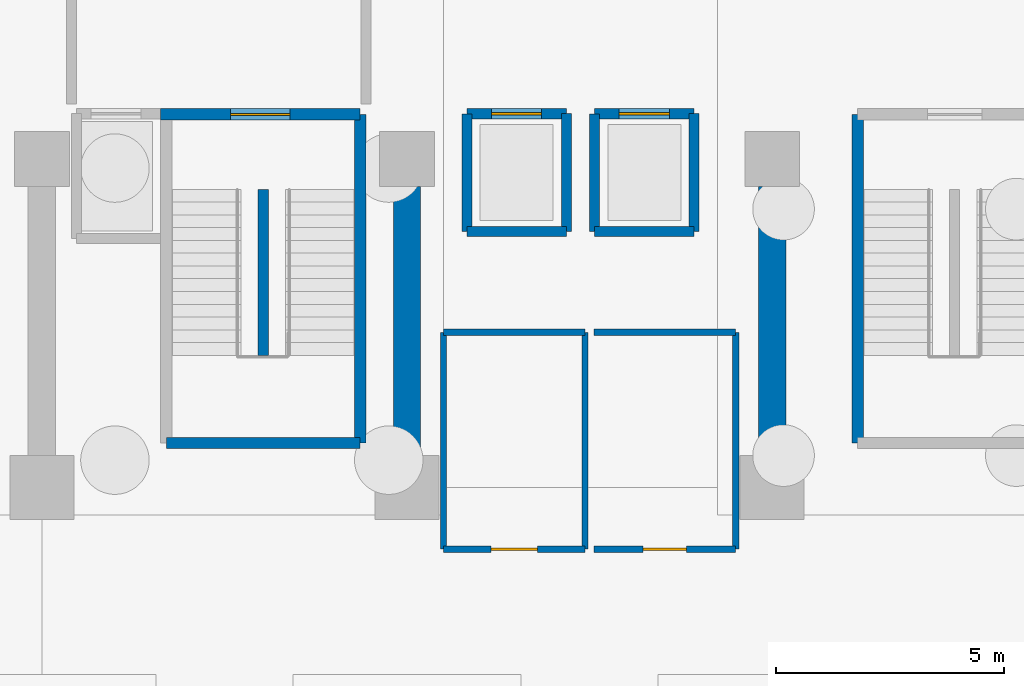
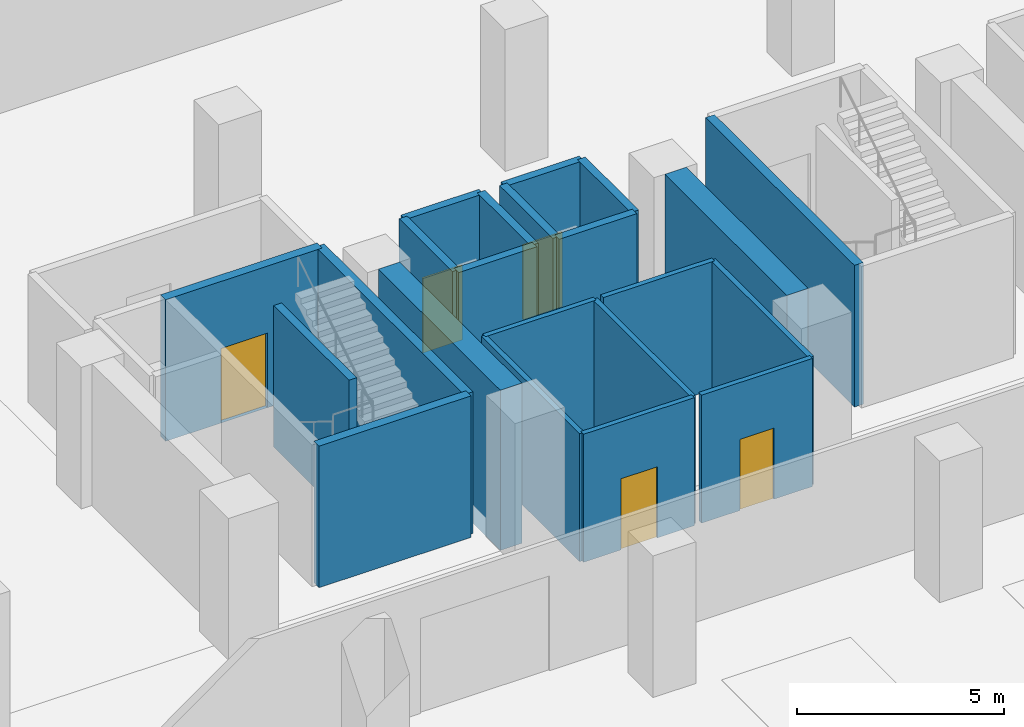
# One storey, part 9 of 26: 22 walls, 5 doors, 5 openings.
"""IFC4 building model written with IfcOpenShell, lengths in metres."""

from ifc_helpers import new_model, si_unit, direction, frame, frame_2d, origin, place, context, subcontext, project, spatial, rectangle, extrude, material, layer, layer_set, type_object, element, fill, save


model = new_model("IFC4")

# Units and contexts
model_context = context("Model", 3, precision=1e-05, world=origin(), true_north=direction((0.0, 1.0)))
body_context = subcontext(model_context, "Body", "Model", "MODEL_VIEW")
ifc_project = project(units=[si_unit("LENGTHUNIT", "METRE"), si_unit("AREAUNIT", "SQUARE_METRE"), si_unit("VOLUMEUNIT", "CUBIC_METRE"), si_unit("PLANEANGLEUNIT", "RADIAN"), si_unit("MASSUNIT", "GRAM", prefix="KILO")], contexts=[model_context])

# Site, building, storey
site_placement = place(None, origin())
site = spatial("IfcSite", under=ifc_project, at=site_placement, CompositionType="ELEMENT")
building_placement = place(site_placement, origin())
building = spatial("IfcBuilding", under=site, at=building_placement, Name="Akrevak Sports Hall", CompositionType="ELEMENT")
storey_placement = place(building_placement, frame((0.0, 0.0, -9.0)))
storey = spatial("IfcBuildingStorey", under=building, at=storey_placement, Name="B02", CompositionType="ELEMENT", Elevation=-9.0)

# Wall, opening, door
ifc_material_1 = material(Name="Moisture-Resistant Wet-Area Partition", Category="gypsum")
ifc_layer_1 = layer(ifc_material_1, 0.139892578125, Name="Moisture-Resistant Wet-Area Partition")
ifc_layer_set_1 = layer_set([ifc_layer_1], Name="Moisture-Resistant Wet-Area Partition")
wall_type_1 = type_object("IfcWallType", Name="ARC-WL-PRT-140", PredefinedType="PARTITIONING", material=ifc_layer_set_1)
wall_1_placement = place(storey_placement, frame((68.800048828125, 53.85009765625, 0.0), z_axis=(0.0, 0.0, 1.0), x_axis=(1.0, 0.0, 0.0)))
wall_1 = element("IfcWall", 1, at=wall_1_placement, inside=storey, type_object=wall_type_1, Name="Interior Partition Accessible WC B02 (S)", PredefinedType="PARTITIONING", context=body_context, shape_type="SweptSolid", body=[
    extrude(rectangle(XDim=3.099853515625, YDim=0.139892578125, at=frame_2d((1.5498046875, 0.0))), origin(), (0.0, 0.0, 1.0), 3.780029296875),
])
opening_1_placement = place(wall_1_placement, frame((1.0400390625, 0.0, 0.0)))
opening_1 = element("IfcOpeningElement", 2, at=opening_1_placement, cuts=wall_1, Name="Opening ID-09", PredefinedType="OPENING", context=body_context, shape_type="SweptSolid", body=[
    extrude(rectangle(XDim=1.02001953125, YDim=2.10009765625, at=frame_2d((0.510009765625, 1.050048828125))), frame((0.0, 0.08203125, 0.0), z_axis=(0.0, -1.0, 0.0), x_axis=(1.0, 0.0, 0.0)), (0.0, 0.0, 1.0), 0.163818359375),
])
ifc_material_2 = material(Name="High-Pressure Laminate & Aluminium", Category="aluminium")
door_type_1 = type_object("IfcDoorType", Name="ARC-DR-AWC-102x210", OperationType="NOTDEFINED", PredefinedType="DOOR", material=ifc_material_2)
door_1_placement = place(opening_1_placement, origin())
door_1 = element("IfcDoor", 3, at=door_1_placement, inside=storey, type_object=door_type_1, Name="Door to Accessible WC B02", OperationType="SINGLE_SWING_LEFT", OverallHeight=2.10009765625, OverallWidth=1.02001953125, PredefinedType="DOOR", context=body_context, shape_type="SweptSolid", body=[
    extrude(rectangle(XDim=1.02001953125, YDim=2.10009765625, at=frame_2d((0.510009765625, 1.050048828125))), frame((0.0, 0.02490234375, 0.0), z_axis=(0.0, -1.0, 0.0), x_axis=(1.0, 0.0, 0.0)), (0.0, 0.0, 1.0), 0.050048828125),
])
fill(opening_1, door_1)

# Walls
wall_2_placement = place(storey_placement, frame((68.800048828125, 58.60009765625, 0.0), z_axis=(0.0, 0.0, 1.0), x_axis=(1.0, 0.0, 0.0)))
element("IfcWall", 4, at=wall_2_placement, inside=storey, type_object=wall_type_1, Name="Interior Partition Accessible WC B02 (N)", PredefinedType="PARTITIONING", context=body_context, shape_type="SweptSolid", body=[
    extrude(rectangle(XDim=3.099853515625, YDim=0.139892578125, at=frame_2d((1.5498046875, 0.0))), origin(), (0.0, 0.0, 1.0), 3.780029296875),
])
for number, where, z_axis, x_axis, name in (
    (5, (68.800048828125, 53.85009765625, 0.0), (0.0, 0.0, 1.0), (0.0, 1.0, 0.0), "Interior Partition Accessible WC B02 (W)"),
    (6, (71.89990234375, 53.85009765625, 0.0), (0.0, 0.0, 1.0), (0.0, 1.0, 0.0), "Interior Partition Accessible WC B02 (E)"),
):
    element("IfcWall", number, at=place(storey_placement, frame(where, z_axis=z_axis, x_axis=x_axis)), inside=storey, type_object=wall_type_1, Name=name, PredefinedType="PARTITIONING", context=body_context, shape_type="SweptSolid", body=[
        extrude(rectangle(XDim=4.75, YDim=0.139892578125, at=frame_2d((2.375, 0.0))), origin(), (0.0, 0.0, 1.0), 3.780029296875),
    ])

# Wall, opening, door
wall_3_placement = place(storey_placement, frame((72.10009765625, 53.85009765625, 0.0), z_axis=(0.0, 0.0, 1.0), x_axis=(1.0, 0.0, 0.0)))
wall_3 = element("IfcWall", 7, at=wall_3_placement, inside=storey, type_object=wall_type_1, Name="Interior Partition Basement Staff WC B02 (S)", PredefinedType="PARTITIONING", context=body_context, shape_type="SweptSolid", body=[
    extrude(rectangle(XDim=3.099853515625, YDim=0.139892578125, at=frame_2d((1.5498046875, 0.0))), origin(), (0.0, 0.0, 1.0), 3.780029296875),
])
opening_2_placement = place(wall_3_placement, frame((1.074951171875, 0.0, 0.0)))
opening_2 = element("IfcOpeningElement", 8, at=opening_2_placement, cuts=wall_3, Name="Opening ID-08", PredefinedType="OPENING", context=body_context, shape_type="SweptSolid", body=[
    extrude(rectangle(XDim=0.949951171875, YDim=2.10009765625, at=frame_2d((0.47509765625, 1.050048828125))), frame((0.0, 0.08203125, 0.0), z_axis=(0.0, -1.0, 0.0), x_axis=(1.0, 0.0, 0.0)), (0.0, 0.0, 1.0), 0.163818359375),
])
door_type_2 = type_object("IfcDoorType", Name="ARC-DR-WC-095x210", OperationType="NOTDEFINED", PredefinedType="DOOR", material=ifc_material_2)
door_2_placement = place(opening_2_placement, frame((0.949951171875, 0.0, 0.0), z_axis=(0.0, 0.0, 1.0), x_axis=(-1.0, 0.0, 0.0)))
door_2 = element("IfcDoor", 9, at=door_2_placement, inside=storey, type_object=door_type_2, Name="Door to Basement Staff WC B02", OperationType="SINGLE_SWING_RIGHT", OverallHeight=2.10009765625, OverallWidth=0.949951171875, PredefinedType="DOOR", context=body_context, shape_type="SweptSolid", body=[
    extrude(rectangle(XDim=0.949951171875, YDim=2.10009765625, at=frame_2d((0.47509765625, 1.050048828125))), frame((0.0, 0.02490234375, 0.0), z_axis=(0.0, -1.0, 0.0), x_axis=(1.0, 0.0, 0.0)), (0.0, 0.0, 1.0), 0.050048828125),
])
fill(opening_2, door_2)

# Walls
wall_4_placement = place(storey_placement, frame((72.10009765625, 58.60009765625, 0.0), z_axis=(0.0, 0.0, 1.0), x_axis=(1.0, 0.0, 0.0)))
element("IfcWall", 10, at=wall_4_placement, inside=storey, type_object=wall_type_1, Name="Interior Partition Basement Staff WC B02 (N)", PredefinedType="PARTITIONING", context=body_context, shape_type="SweptSolid", body=[
    extrude(rectangle(XDim=3.099853515625, YDim=0.139892578125, at=frame_2d((1.5498046875, 0.0))), origin(), (0.0, 0.0, 1.0), 3.780029296875),
])
wall_5_placement = place(storey_placement, frame((75.199951171875, 53.85009765625, 0.0), z_axis=(0.0, 0.0, 1.0), x_axis=(0.0, 1.0, 0.0)))
element("IfcWall", 11, at=wall_5_placement, inside=storey, type_object=wall_type_1, Name="Interior Partition Basement Staff WC B02 (E)", PredefinedType="PARTITIONING", context=body_context, shape_type="SweptSolid", body=[
    extrude(rectangle(XDim=4.75, YDim=0.139892578125, at=frame_2d((2.375, 0.0))), origin(), (0.0, 0.0, 1.0), 3.780029296875),
])
ifc_material_3 = material(Name="Concrete C40/50", Category="concrete")
ifc_layer_2 = layer(ifc_material_3, 0.219970703125, Name="Concrete C40/50")
ifc_layer_set_2 = layer_set([ifc_layer_2], Name="Concrete C40/50")
wall_type_2 = type_object("IfcWallType", Name="ARC-WL-PRT-220", PredefinedType="PARTITIONING", material=ifc_layer_set_2)
wall_6_placement = place(storey_placement, frame((64.85009765625, 58.094970703125, 0.0), z_axis=(0.0, 0.0, 1.0), x_axis=(0.0, 1.0, 0.0)))
element("IfcWall", 12, at=wall_6_placement, inside=storey, type_object=wall_type_2, Name="Stair ST1 Central Spine Wall (B02)", PredefinedType="PARTITIONING", context=body_context, shape_type="SweptSolid", body=[
    extrude(rectangle(XDim=3.64013671875, YDim=0.219970703125, at=frame_2d((1.820068359375, 0.0))), origin(), (0.0, 0.0, 1.0), 4.179931640625),
])
ifc_material_4 = material(Name="Concrete C50/60", Category="concrete")
ifc_layer_3 = layer(ifc_material_4, 0.219970703125, Name="Concrete C50/60")
ifc_layer_set_3 = layer_set([ifc_layer_3], Name="Concrete C50/60")
wall_type_3 = type_object("IfcWallType", Name="ARC-WL-SHAFT-220", PredefinedType="SHEAR", material=ifc_layer_set_3)
wall_7_placement = place(storey_placement, frame((69.31005859375, 60.81005859375, 0.0), z_axis=(0.0, 0.0, 1.0), x_axis=(1.0, 0.0, 0.0)))
element("IfcWall", 13, at=wall_7_placement, inside=storey, type_object=wall_type_3, Name="Lift Shaft LF-P1 Wall S (B02)", PredefinedType="SHEAR", context=body_context, shape_type="SweptSolid", body=[
    extrude(rectangle(XDim=2.179931640625, YDim=0.219970703125, at=frame_2d((1.08984375, 0.0))), origin(), (0.0, 0.0, 1.0), 4.179931640625),
])

# Wall, opening, door
wall_8_placement = place(storey_placement, frame((71.489990234375, 63.389892578125, 0.0), z_axis=(0.0, 0.0, 1.0), x_axis=(-1.0, 0.0, 0.0)))
wall_8 = element("IfcWall", 14, at=wall_8_placement, inside=storey, type_object=wall_type_3, Name="Lift Shaft LF-P1 Wall N (B02)", PredefinedType="SHEAR", context=body_context, shape_type="SweptSolid", body=[
    extrude(rectangle(XDim=2.179931640625, YDim=0.219970703125, at=frame_2d((1.08984375, 0.0))), origin(), (0.0, 0.0, 1.0), 4.179931640625),
])
opening_3_placement = place(wall_8_placement, frame((0.5400390625, 0.0, 0.0)))
opening_3 = element("IfcOpeningElement", 15, at=opening_3_placement, cuts=wall_8, Name="Opening LD-01", PredefinedType="OPENING", context=body_context, shape_type="SweptSolid", body=[
    extrude(rectangle(XDim=1.10009765625, YDim=2.199951171875, at=frame_2d((0.550048828125, 1.10009765625))), frame((0.0, 0.1220703125, 0.0), z_axis=(0.0, -1.0, 0.0), x_axis=(1.0, 0.0, 0.0)), (0.0, 0.0, 1.0), 0.243896484375),
])
ifc_material_5 = material(Name="Brushed Stainless Steel 304", Category="steel")
door_type_3 = type_object("IfcDoorType", Name="ARC-DR-LD-110x220", OperationType="SLIDING_TO_LEFT", PredefinedType="DOOR", material=ifc_material_5)
door_3_placement = place(opening_3_placement, origin())
door_3 = element("IfcDoor", 16, at=door_3_placement, inside=storey, type_object=door_type_3, Name="Lift LF-P1 Sliding Landing Door (B02)", OperationType="SLIDING_TO_LEFT", OverallHeight=2.199951171875, OverallWidth=1.10009765625, PredefinedType="DOOR", context=body_context, shape_type="SweptSolid", body=[
    extrude(rectangle(XDim=1.10009765625, YDim=2.199951171875, at=frame_2d((0.550048828125, 1.10009765625))), frame((0.0, 0.02490234375, 0.0), z_axis=(0.0, -1.0, 0.0), x_axis=(1.0, 0.0, 0.0)), (0.0, 0.0, 1.0), 0.050048828125),
])
fill(opening_3, door_3)

# Walls
for number, where, z_axis, x_axis, name in (
    (17, (69.31005859375, 63.389892578125, 0.0), (0.0, 0.0, 1.0), (0.0, -1.0, 0.0), "Lift Shaft LF-P1 Wall W (B02)"),
    (18, (71.489990234375, 60.81005859375, 0.0), (0.0, 0.0, 1.0), (0.0, 1.0, 0.0), "Lift Shaft LF-P1 Wall E (B02)"),
):
    element("IfcWall", number, at=place(storey_placement, frame(where, z_axis=z_axis, x_axis=x_axis)), inside=storey, type_object=wall_type_3, Name=name, PredefinedType="SHEAR", context=body_context, shape_type="SweptSolid", body=[
        extrude(rectangle(XDim=2.579833984375, YDim=0.219970703125, at=frame_2d((1.2900390625, 0.0))), origin(), (0.0, 0.0, 1.0), 4.179931640625),
    ])
wall_9_placement = place(storey_placement, frame((72.110107421875, 60.81005859375, 0.0), z_axis=(0.0, 0.0, 1.0), x_axis=(1.0, 0.0, 0.0)))
element("IfcWall", 19, at=wall_9_placement, inside=storey, type_object=wall_type_3, Name="Lift Shaft LF-P2 Wall S (B02)", PredefinedType="SHEAR", context=body_context, shape_type="SweptSolid", body=[
    extrude(rectangle(XDim=2.179931640625, YDim=0.219970703125, at=frame_2d((1.08984375, 0.0))), origin(), (0.0, 0.0, 1.0), 4.179931640625),
])

# Wall, opening, door
wall_10_placement = place(storey_placement, frame((74.2900390625, 63.389892578125, 0.0), z_axis=(0.0, 0.0, 1.0), x_axis=(-1.0, 0.0, 0.0)))
wall_10 = element("IfcWall", 20, at=wall_10_placement, inside=storey, type_object=wall_type_3, Name="Lift Shaft LF-P2 Wall N (B02)", PredefinedType="SHEAR", context=body_context, shape_type="SweptSolid", body=[
    extrude(rectangle(XDim=2.179931640625, YDim=0.219970703125, at=frame_2d((1.08984375, 0.0))), origin(), (0.0, 0.0, 1.0), 4.179931640625),
])
opening_4_placement = place(wall_10_placement, frame((0.5400390625, 0.0, 0.0)))
opening_4 = element("IfcOpeningElement", 21, at=opening_4_placement, cuts=wall_10, Name="Opening LD-01", PredefinedType="OPENING", context=body_context, shape_type="SweptSolid", body=[
    extrude(rectangle(XDim=1.10009765625, YDim=2.199951171875, at=frame_2d((0.550048828125, 1.10009765625))), frame((0.0, 0.1220703125, 0.0), z_axis=(0.0, -1.0, 0.0), x_axis=(1.0, 0.0, 0.0)), (0.0, 0.0, 1.0), 0.243896484375),
])
door_4_placement = place(opening_4_placement, origin())
door_4 = element("IfcDoor", 22, at=door_4_placement, inside=storey, type_object=door_type_3, Name="Lift LF-P2 Sliding Landing Door (B02)", OperationType="SLIDING_TO_LEFT", OverallHeight=2.199951171875, OverallWidth=1.10009765625, PredefinedType="DOOR", context=body_context, shape_type="SweptSolid", body=[
    extrude(rectangle(XDim=1.10009765625, YDim=2.199951171875, at=frame_2d((0.550048828125, 1.10009765625))), frame((0.0, 0.02490234375, 0.0), z_axis=(0.0, -1.0, 0.0), x_axis=(1.0, 0.0, 0.0)), (0.0, 0.0, 1.0), 0.050048828125),
])
fill(opening_4, door_4)

# Walls
for number, where, z_axis, x_axis, name in (
    (23, (72.110107421875, 63.389892578125, 0.0), (0.0, 0.0, 1.0), (0.0, -1.0, 0.0), "Lift Shaft LF-P2 Wall W (B02)"),
    (24, (74.2900390625, 60.81005859375, 0.0), (0.0, 0.0, 1.0), (0.0, 1.0, 0.0), "Lift Shaft LF-P2 Wall E (B02)"),
):
    element("IfcWall", number, at=place(storey_placement, frame(where, z_axis=z_axis, x_axis=x_axis)), inside=storey, type_object=wall_type_3, Name=name, PredefinedType="SHEAR", context=body_context, shape_type="SweptSolid", body=[
        extrude(rectangle(XDim=2.579833984375, YDim=0.219970703125, at=frame_2d((1.2900390625, 0.0))), origin(), (0.0, 0.0, 1.0), 4.179931640625),
    ])
ifc_layer_4 = layer(ifc_material_4, 0.60009765625, Name="Concrete C50/60")
ifc_layer_set_4 = layer_set([ifc_layer_4], Name="Concrete C50/60")
wall_type_4 = type_object("IfcWallType", Name="STR-WL-CORE-600", PredefinedType="SHEAR", material=ifc_layer_set_4)
for number, where, z_axis, x_axis, name in (
    (25, (68.0, 55.89990234375, -0.550048828125), (0.0, 0.0, 1.0), (0.0, 1.0, 0.0), "Reinforced Concrete Shear Wall SW-C1 (B02)"),
    (26, (76.0, 55.89990234375, -0.550048828125), (0.0, 0.0, 1.0), (0.0, 1.0, 0.0), "Reinforced Concrete Shear Wall SW-W1 (B02)"),
):
    element("IfcWall", number, at=place(storey_placement, frame(where, z_axis=z_axis, x_axis=x_axis)), inside=storey, type_object=wall_type_4, Name=name, PredefinedType="SHEAR", context=body_context, shape_type="SweptSolid", body=[
        extrude(rectangle(XDim=5.900146484375, YDim=0.60009765625, at=frame_2d((2.9501953125, 0.0))), origin(), (0.0, 0.0, 1.0), 4.72998046875),
    ])
ifc_layer_5 = layer(ifc_material_4, 0.25, Name="Concrete C50/60")
ifc_layer_set_5 = layer_set([ifc_layer_5], Name="Concrete C50/60")
wall_type_5 = type_object("IfcWallType", Name="STR-WL-STAIR-250", PredefinedType="SHEAR", material=ifc_layer_set_5)
wall_11_placement = place(storey_placement, frame((62.72509765625, 56.175048828125, 0.0), z_axis=(0.0, 0.0, 1.0), x_axis=(1.0, 0.0, 0.0)))
element("IfcWall", 27, at=wall_11_placement, inside=storey, type_object=wall_type_5, Name="Stair Core ST1 Shear Wall S (B02)", PredefinedType="SHEAR", context=body_context, shape_type="SweptSolid", body=[
    extrude(rectangle(XDim=4.25, YDim=0.25, at=frame_2d((2.125, 0.0))), origin(), (0.0, 0.0, 1.0), 4.179931640625),
])

# Wall, opening, door
wall_12_placement = place(storey_placement, frame((66.97509765625, 63.375, 0.0), z_axis=(0.0, 0.0, 1.0), x_axis=(-1.0, 0.0, 0.0)))
wall_12 = element("IfcWall", 28, at=wall_12_placement, inside=storey, type_object=wall_type_5, Name="Stair Core ST1 Shear Wall N (B02)", PredefinedType="SHEAR", context=body_context, shape_type="SweptSolid", body=[
    extrude(rectangle(XDim=4.375, YDim=0.25, at=frame_2d((2.1875, 0.0))), origin(), (0.0, 0.0, 1.0), 4.179931640625),
])
opening_5_placement = place(wall_12_placement, frame((1.53759765625, 0.0, 0.0)))
opening_5 = element("IfcOpeningElement", 29, at=opening_5_placement, cuts=wall_12, Name="Opening SD-01", PredefinedType="OPENING", context=body_context, shape_type="SweptSolid", body=[
    extrude(rectangle(XDim=1.300048828125, YDim=2.199951171875, at=frame_2d((0.64990234375, 1.10009765625))), frame((0.0, 0.136962890625, 0.0), z_axis=(0.0, -1.0, 0.0), x_axis=(1.0, 0.0, 0.0)), (0.0, 0.0, 1.0), 0.27392578125),
])
ifc_material_6 = material(Name="Fire-Rated Galvanized Door Steel", Category="steel")
door_type_4 = type_object("IfcDoorType", Name="ARC-DR-STAIR-130x220", OperationType="NOTDEFINED", PredefinedType="DOOR", material=ifc_material_6)
door_5_placement = place(opening_5_placement, origin())
door_5 = element("IfcDoor", 30, at=door_5_placement, inside=storey, type_object=door_type_4, Name="Exit Stair ST1 Door (B02)", OperationType="SINGLE_SWING_RIGHT", OverallHeight=2.199951171875, OverallWidth=1.300048828125, PredefinedType="DOOR", context=body_context, shape_type="SweptSolid", body=[
    extrude(rectangle(XDim=1.300048828125, YDim=2.199951171875, at=frame_2d((0.64990234375, 1.10009765625))), frame((0.0, 0.02490234375, 0.0), z_axis=(0.0, -1.0, 0.0), x_axis=(1.0, 0.0, 0.0)), (0.0, 0.0, 1.0), 0.050048828125),
])
fill(opening_5, door_5)

# Walls
for number, where, z_axis, x_axis, name in (
    (31, (66.97509765625, 56.175048828125, 0.0), (0.0, 0.0, 1.0), (0.0, 1.0, 0.0), "Stair Core ST1 Shear Wall E (B02)"),
    (32, (77.875, 63.375, 0.0), (0.0, 0.0, 1.0), (0.0, -1.0, 0.0), "Stair Core ST3 Shear Wall W (B02)"),
):
    element("IfcWall", number, at=place(storey_placement, frame(where, z_axis=z_axis, x_axis=x_axis)), inside=storey, type_object=wall_type_5, Name=name, PredefinedType="SHEAR", context=body_context, shape_type="SweptSolid", body=[
        extrude(rectangle(XDim=7.199951171875, YDim=0.25, at=frame_2d((3.60009765625, 0.0))), origin(), (0.0, 0.0, 1.0), 4.179931640625),
    ])

save(model, "model.ifc")
